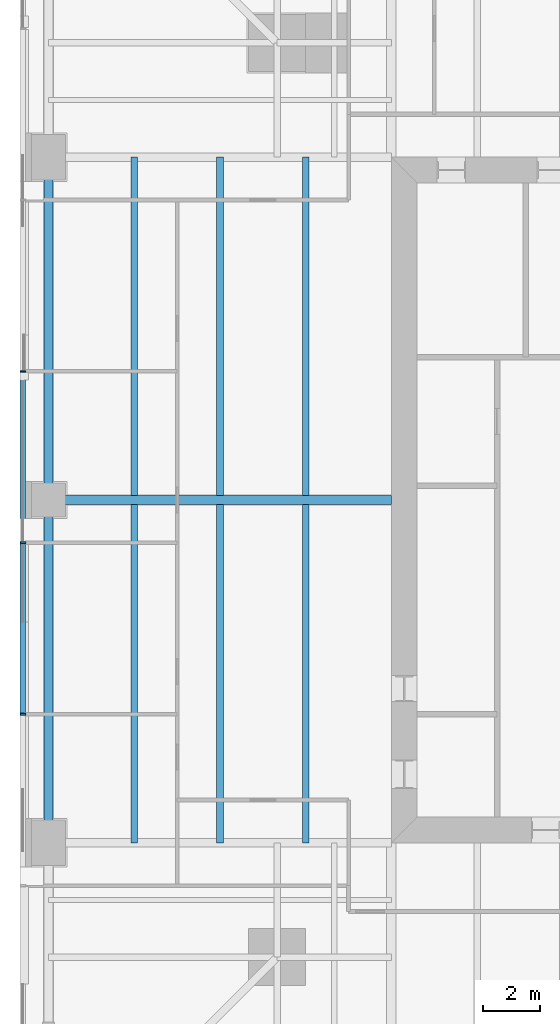
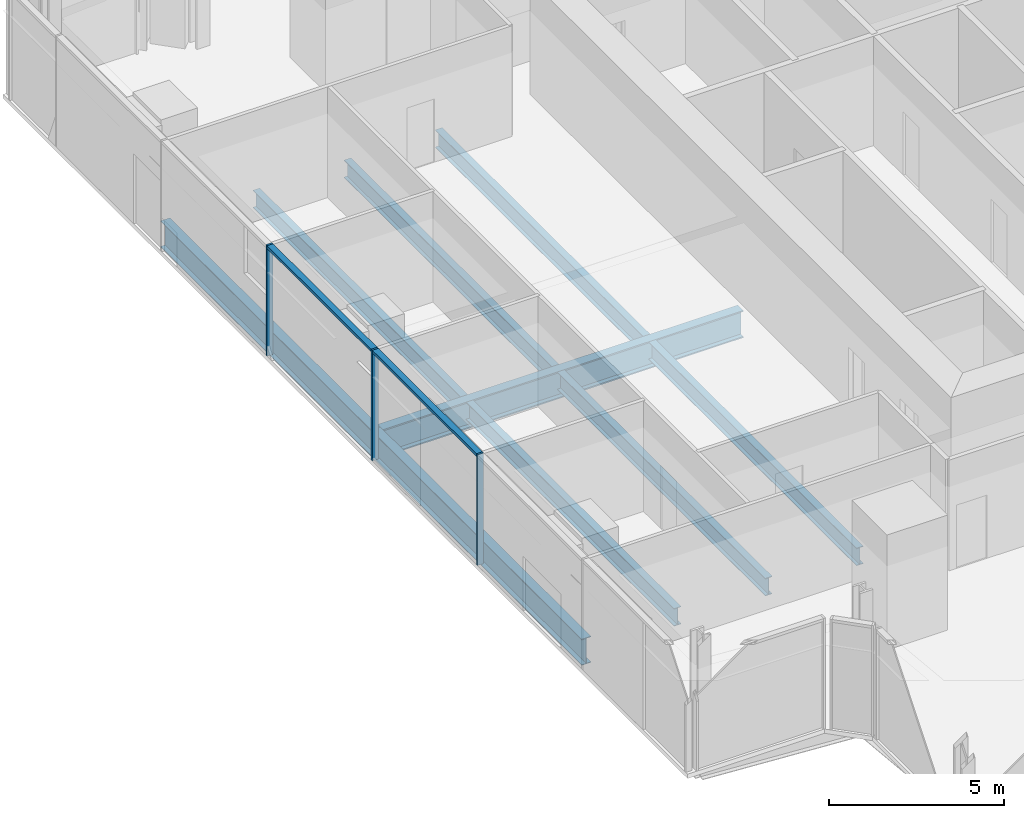
# One storey, part 4 of 14: 9 beams, 5 members, 1 element without a shape of its own.
"""IFC4 building model written with IfcOpenShell, lengths in metres."""

from ifc_helpers import new_model, si_unit, direction, frame, origin, origin_2d, place, context, subcontext, project, spatial, rectangle, i_section, extrude, material, material_profile, profile_set, type_object, element, aggregate, save


model = new_model("IFC4")

# Units and contexts
model_context = context("Model", 3, precision=1e-05, world=origin(), true_north=direction((0.0, 1.0)))
body_context = subcontext(model_context, "Body", "Model", "MODEL_VIEW")
ifc_project = project(units=[si_unit("LENGTHUNIT", "METRE"), si_unit("AREAUNIT", "SQUARE_METRE"), si_unit("VOLUMEUNIT", "CUBIC_METRE"), si_unit("PLANEANGLEUNIT", "RADIAN"), si_unit("MASSUNIT", "GRAM", prefix="KILO")], contexts=[model_context])

# Site, building, storey
site_placement = place(None, origin())
site = spatial("IfcSite", under=ifc_project, at=site_placement, CompositionType="ELEMENT")
building_placement = place(site_placement, origin())
building = spatial("IfcBuilding", under=site, at=building_placement, Name="Fenwick Lantern Interchange", CompositionType="ELEMENT")
storey_placement = place(building_placement, frame((0.0, 0.0, 193.800048828125)))
storey = spatial("IfcBuildingStorey", under=building, at=storey_placement, Name="L45", CompositionType="ELEMENT", Elevation=193.800048828125)

# Beams
ifc_material_1 = material(Name="Steel ASTM A992 Grade 50", Category="steel")
ifc_material_profile_1 = material_profile(ifc_material_1, i_section(OverallWidth=0.3046875, OverallDepth=0.911865234375, WebThickness=0.015869140625, FlangeThickness=0.02392578125, at=origin_2d()), Name="W36X150")
ifc_profile_set_1 = profile_set([ifc_material_profile_1], Name="Steel ASTM A992 Grade 50")
beam_type_1 = type_object("IfcBeamType", Name="EDGE BEAM W36X150", PredefinedType="SPANDREL", material=ifc_profile_set_1)
for number, where, z_axis, x_axis, name in (
    (1, (1.0, 37.0, -0.60595703125), (0.0, -1.0, 0.0), (1.0, 0.0, 0.0), "L45/FR/W/EB2"),
    (2, (1.0, 25.0, -0.60595703125), (0.0, -1.0, 0.0), (1.0, 0.0, 0.0), "L45/FR/W/EB3"),
):
    element("IfcBeam", number, at=place(storey_placement, frame(where, z_axis=z_axis, x_axis=x_axis)), inside=storey, type_object=beam_type_1, Name=name, PredefinedType="SPANDREL", context=body_context, shape_type="SweptSolid", body=[
        extrude(i_section(OverallWidth=0.3046875, OverallDepth=0.911865234375, WebThickness=0.015869140625, FlangeThickness=0.02392578125, at=origin_2d()), origin(), (0.0, 0.0, 1.0), 12.0),
    ])
ifc_material_profile_2 = material_profile(ifc_material_1, i_section(OverallWidth=0.22900390625, OverallDepth=0.612060546875, WebThickness=0.011962890625, FlangeThickness=0.01953125, at=origin_2d()), Name="W24X84")
ifc_profile_set_2 = profile_set([ifc_material_profile_2], Name="Steel ASTM A992 Grade 50")
beam_type_2 = type_object("IfcBeamType", Name="FLOOR BEAM W24X84", PredefinedType="BEAM", material=ifc_profile_set_2)
for number, where, z_axis, x_axis, name in (
    (3, (4.0, 37.0, -0.4560546875), (0.0, -1.0, 0.0), (1.0, 0.0, 0.0), "L45/FR/W/B01"),
    (4, (7.0, 37.0, -0.4560546875), (0.0, -1.0, 0.0), (1.0, 0.0, 0.0), "L45/FR/W/B02"),
    (5, (10.0, 37.0, -0.4560546875), (0.0, -1.0, 0.0), (1.0, 0.0, 0.0), "L45/FR/W/B03"),
    (6, (4.0, 24.844970703125, -0.4560546875), (0.0, -1.0, 0.0), (1.0, 0.0, 0.0), "L45/FR/W/B04"),
    (7, (7.0, 24.844970703125, -0.4560546875), (0.0, -1.0, 0.0), (1.0, 0.0, 0.0), "L45/FR/W/B05"),
    (8, (10.0, 24.844970703125, -0.4560546875), (0.0, -1.0, 0.0), (1.0, 0.0, 0.0), "L45/FR/W/B06"),
):
    element("IfcBeam", number, at=place(storey_placement, frame(where, z_axis=z_axis, x_axis=x_axis)), inside=storey, type_object=beam_type_2, Name=name, PredefinedType="BEAM", context=body_context, shape_type="SweptSolid", body=[
        extrude(i_section(OverallWidth=0.22900390625, OverallDepth=0.612060546875, WebThickness=0.011962890625, FlangeThickness=0.01953125, at=origin_2d()), origin(), (0.0, 0.0, 1.0), 11.844970703125),
    ])
ifc_material_profile_3 = material_profile(ifc_material_1, i_section(OverallWidth=0.309814453125, OverallDepth=0.949951171875, WebThickness=0.0244140625, FlangeThickness=0.0439453125, at=origin_2d()), Name="W36X256")
ifc_profile_set_3 = profile_set([ifc_material_profile_3], Name="Steel ASTM A992 Grade 50")
beam_type_3 = type_object("IfcBeamType", Name="MOMENT-CONNECTED GIRDER W36X256", PredefinedType="BEAM", material=ifc_profile_set_3)
beam_placement = place(storey_placement, frame((1.0, 25.0, -0.625), z_axis=(1.0, 0.0, 0.0), x_axis=(0.0, 1.0, 0.0)))
element("IfcBeam", 9, at=beam_placement, inside=storey, type_object=beam_type_3, Name="L45/FR/W/R02", PredefinedType="BEAM", context=body_context, shape_type="SweptSolid", body=[
    extrude(i_section(OverallWidth=0.309814453125, OverallDepth=0.949951171875, WebThickness=0.0244140625, FlangeThickness=0.0439453125, at=origin_2d()), origin(), (0.0, 0.0, 1.0), 12.0),
])

# Curtain wall, members
ifc_material_2 = material(Name="Aluminium curtain wall frame", Category="aluminium")
curtain_wall_type = type_object("IfcCurtainWallType", Name="OFFICE CURTAIN WALL", PredefinedType="USERDEFINED", material=ifc_material_2)
curtain_wall_placement = place(storey_placement, origin())
curtain_wall = element("IfcCurtainWall", 10, at=curtain_wall_placement, inside=storey, type_object=curtain_wall_type, Name="Office curtain wall 13", ObjectType="OFFICE CURTAIN WALL", PredefinedType="USERDEFINED")
ifc_material_3 = material(Name="Aluminium extrusion", Category="aluminium")
ifc_material_profile_4 = material_profile(ifc_material_3, rectangle(XDim=0.199951171875, YDim=0.06494140625, at=origin_2d()), Name="OFFICE CURTAIN WALL MULLION 65 X 200")
ifc_profile_set_4 = profile_set([ifc_material_profile_4], Name="Aluminium extrusion")
member_type_1 = type_object("IfcMemberType", Name="OFFICE CURTAIN WALL MULLION 65 X 200", PredefinedType="MULLION", material=ifc_profile_set_4)
member_1_placement = place(storey_placement, frame((0.10009765625, 29.5, 0.0), z_axis=(0.0, 0.0, 1.0), x_axis=(1.0, 0.0, 0.0)))
member_1 = element("IfcMember", 11, at=member_1_placement, type_object=member_type_1, Name="L45/CW/13/M03", PredefinedType="MULLION", context=body_context, shape_type="SweptSolid", body=[
    extrude(rectangle(XDim=0.199951171875, YDim=0.06494140625, at=origin_2d()), origin(), (0.0, 0.0, 1.0), 3.849853515625),
])
member_2_placement = place(storey_placement, frame((0.10009765625, 23.5, 0.0), z_axis=(0.0, 0.0, 1.0), x_axis=(1.0, 0.0, 0.0)))
member_2 = element("IfcMember", 12, at=member_2_placement, type_object=member_type_1, Name="L45/CW/13/M04", PredefinedType="MULLION", context=body_context, shape_type="SweptSolid", body=[
    extrude(rectangle(XDim=0.199951171875, YDim=0.06494140625, at=origin_2d()), origin(), (0.0, 0.0, 1.0), 3.849853515625),
])
member_3_placement = place(storey_placement, frame((0.10009765625, 17.5, 0.0), z_axis=(0.0, 0.0, 1.0), x_axis=(1.0, 0.0, 0.0)))
member_3 = element("IfcMember", 13, at=member_3_placement, type_object=member_type_1, Name="L45/CW/13/M05", PredefinedType="MULLION", context=body_context, shape_type="SweptSolid", body=[
    extrude(rectangle(XDim=0.199951171875, YDim=0.06494140625, at=origin_2d()), origin(), (0.0, 0.0, 1.0), 3.849853515625),
])
ifc_material_profile_5 = material_profile(ifc_material_3, rectangle(XDim=0.199951171875, YDim=0.10009765625, at=origin_2d()), Name="OFFICE CURTAIN WALL TRANSOM 100 X 200")
ifc_profile_set_5 = profile_set([ifc_material_profile_5], Name="Aluminium extrusion")
member_type_2 = type_object("IfcMemberType", Name="OFFICE CURTAIN WALL TRANSOM 100 X 200", PredefinedType="MULLION", material=ifc_profile_set_5)
member_4_placement = place(storey_placement, frame((0.10009765625, 29.467529296875, 3.800048828125), z_axis=(0.0, -1.0, 0.0), x_axis=(1.0, 0.0, 0.0)))
member_4 = element("IfcMember", 14, at=member_4_placement, type_object=member_type_2, Name="L45/CW/13/T03", PredefinedType="MULLION", context=body_context, shape_type="SweptSolid", body=[
    extrude(rectangle(XDim=0.199951171875, YDim=0.10009765625, at=origin_2d()), origin(), (0.0, 0.0, 1.0), 5.93505859375),
])
member_5_placement = place(storey_placement, frame((0.10009765625, 23.467529296875, 3.800048828125), z_axis=(0.0, -1.0, 0.0), x_axis=(1.0, 0.0, 0.0)))
member_5 = element("IfcMember", 15, at=member_5_placement, type_object=member_type_2, Name="L45/CW/13/T04", PredefinedType="MULLION", context=body_context, shape_type="SweptSolid", body=[
    extrude(rectangle(XDim=0.199951171875, YDim=0.10009765625, at=origin_2d()), origin(), (0.0, 0.0, 1.0), 5.93505859375),
])
aggregate(curtain_wall, [member_1, member_2, member_3, member_4, member_5])

save(model, "model.ifc")
